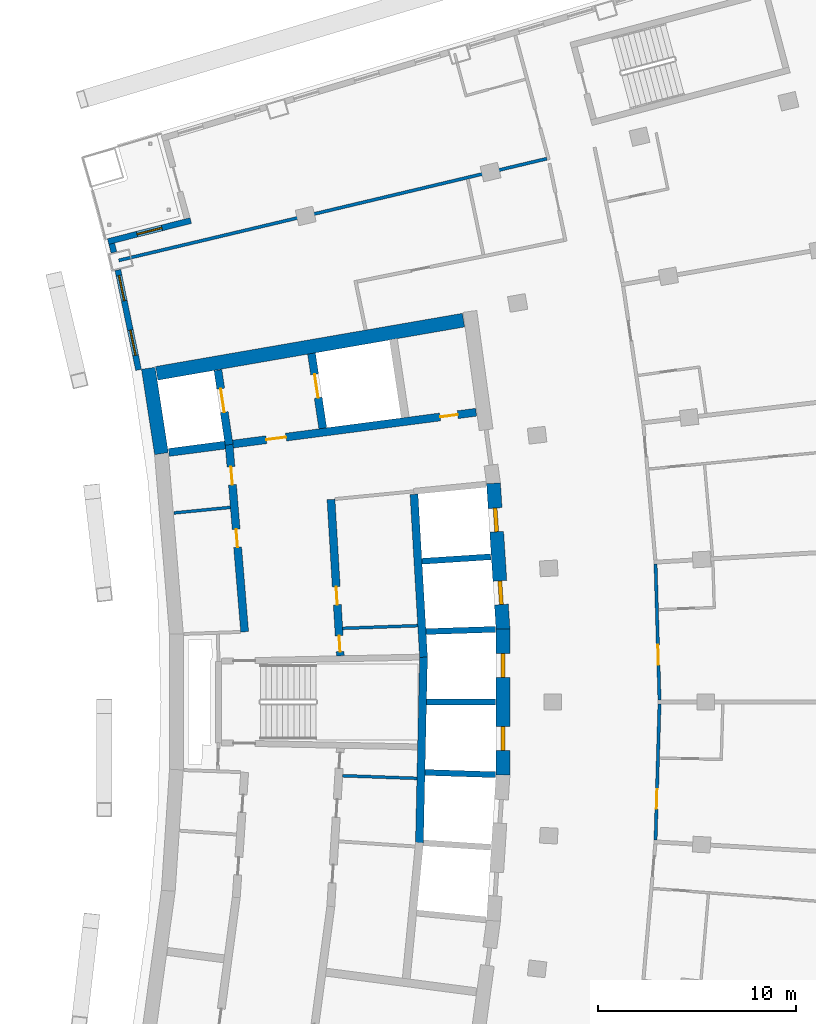
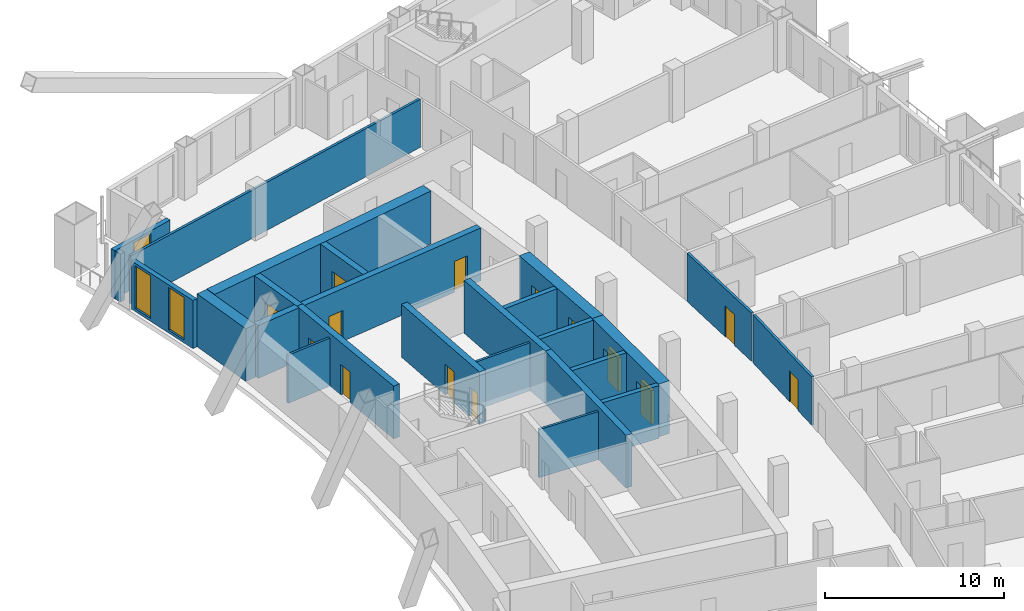
# One storey, part 13 of 19: 25 walls, 14 doors, 3 windows, 17 openings.
"""IFC4 building model written with IfcOpenShell, lengths in metres."""

from ifc_helpers import new_model, si_unit, direction, frame, frame_2d, origin, place, context, subcontext, project, spatial, rectangle, extrude, material, layer, layer_set, type_object, element, fill, save


model = new_model("IFC4")

# Units and contexts
model_context = context("Model", 3, precision=1e-05, world=origin(), true_north=direction((0.0, 1.0)))
body_context = subcontext(model_context, "Body", "Model", "MODEL_VIEW")
ifc_project = project(units=[si_unit("LENGTHUNIT", "METRE"), si_unit("AREAUNIT", "SQUARE_METRE"), si_unit("VOLUMEUNIT", "CUBIC_METRE"), si_unit("PLANEANGLEUNIT", "RADIAN"), si_unit("MASSUNIT", "GRAM", prefix="KILO")], contexts=[model_context])

# Site, building, storey
site_placement = place(None, origin())
site = spatial("IfcSite", under=ifc_project, at=site_placement, CompositionType="ELEMENT")
building_placement = place(site_placement, origin())
building = spatial("IfcBuilding", under=site, at=building_placement, Name="Alderwake Tower", CompositionType="ELEMENT")
storey_placement = place(building_placement, frame((0.0, 0.0, 171.199951171875)))
storey = spatial("IfcBuildingStorey", under=building, at=storey_placement, Name="L42", CompositionType="ELEMENT", Elevation=171.199951171875)

# Walls
ifc_material_1 = material(Name="Gypsum shaft wall system, rated")
ifc_layer_1 = layer(ifc_material_1, 0.14990234375)
ifc_layer_set_1 = layer_set([ifc_layer_1], Name="Core riser partition 150")
wall_type_1 = type_object("IfcWallType", Name="Core riser partition 150", PredefinedType="PARTITIONING", material=ifc_layer_set_1)
wall_1_placement = place(storey_placement, frame((25.1904296875, 57.276611328125, 0.0), z_axis=(0.0, 0.0, 1.0), x_axis=(0.99937350076, -0.035392173974, 0.0)))
element("IfcWall", 1, at=wall_1_placement, inside=storey, type_object=wall_type_1, Name="CW/L42/PR-37_+86", PredefinedType="PARTITIONING", context=body_context, shape_type="SweptSolid", body=[
    extrude(rectangle(XDim=3.752685546875, YDim=0.14990234375, at=frame_2d((1.87646484375, 0.0))), origin(), (0.0, 0.0, 1.0), 3.280029296875),
])
wall_2_placement = place(storey_placement, frame((25.191162109375, 64.723388671875, 0.0), z_axis=(0.0, 0.0, 1.0), x_axis=(0.999373627871, 0.035388584556, 0.0)))
element("IfcWall", 2, at=wall_2_placement, inside=storey, type_object=wall_type_1, Name="CW/L42/PR+37_+86", PredefinedType="PARTITIONING", context=body_context, shape_type="SweptSolid", body=[
    extrude(rectangle(XDim=3.79443359375, YDim=0.14990234375, at=frame_2d((1.897216796875, 0.0))), origin(), (0.0, 0.0, 1.0), 3.280029296875),
])
ifc_material_2 = material(Name="Gypsum shaft wall system, rated")
ifc_layer_2 = layer(ifc_material_2, 0.14990234375)
ifc_layer_set_2 = layer_set([ifc_layer_2], Name="Core room partition 150")
wall_type_2 = type_object("IfcWallType", Name="Core room partition 150", PredefinedType="PARTITIONING", material=ifc_layer_set_2)
wall_3_placement = place(storey_placement, frame((16.662841796875, 70.552001953125, 0.0), z_axis=(0.0, 0.0, 1.0), x_axis=(0.995157883569, 0.098289301407, 0.0)))
element("IfcWall", 3, at=wall_3_placement, inside=storey, type_object=wall_type_2, Name="CW/L42/PR+103_+0", PredefinedType="PARTITIONING", context=body_context, shape_type="SweptSolid", body=[
    extrude(rectangle(XDim=2.866455078125, YDim=0.14990234375, at=frame_2d((1.43310546875, 0.0))), origin(), (0.0, 0.0, 1.0), 3.280029296875),
])
ifc_material_3 = material(Name="Concrete C70/85", Category="concrete")
ifc_layer_3 = layer(ifc_material_3, 0.699951171875)
ifc_layer_set_3 = layer_set([ifc_layer_3], Name="Core wall outer 700 C70-85")
wall_type_3 = type_object("IfcWallType", Name="Core wall outer 700 C70-85", PredefinedType="SHEAR", material=ifc_layer_set_3)
wall_4_placement = place(storey_placement, frame((16.033935546875, 73.547607421875, 0.0), z_axis=(0.0, 0.0, 1.0), x_axis=(-0.151897483467, 0.988396253795, 0.0)))
element("IfcWall", 4, at=wall_4_placement, inside=storey, type_object=wall_type_3, Name="Core wall CW.039", PredefinedType="SHEAR", context=body_context, shape_type="SweptSolid", body=[
    extrude(rectangle(XDim=4.365234375, YDim=0.699951171875, at=frame_2d((2.1826171875, 0.0))), origin(), (0.0, 0.0, 1.0), 3.60009765625),
])

# Wall, openings, doors
wall_5_placement = place(storey_placement, frame((33.2900390625, 57.30322265625, 0.0), z_axis=(0.0, 0.0, 1.0), x_axis=(0.0, 1.0, 0.0)))
wall_5 = element("IfcWall", 5, at=wall_5_placement, inside=storey, type_object=wall_type_3, Name="Core wall CW.013", PredefinedType="SHEAR", context=body_context, shape_type="SweptSolid", body=[
    extrude(rectangle(XDim=7.3935546875, YDim=0.699951171875, at=frame_2d((3.69677734375, 0.0))), origin(), (0.0, 0.0, 1.0), 3.60009765625),
])
opening_1_placement = place(wall_5_placement, frame((1.254150390625, 0.0, 0.0)))
opening_1 = element("IfcOpeningElement", 6, at=opening_1_placement, cuts=wall_5, Name="Opening LD-HP3", PredefinedType="OPENING", context=body_context, shape_type="SweptSolid", body=[
    extrude(rectangle(XDim=1.199951171875, YDim=2.300048828125, at=frame_2d((0.60009765625, 1.14990234375))), frame((0.0, 0.35986328125, 0.0), z_axis=(0.0, -1.0, 0.0), x_axis=(1.0, 0.0, 0.0)), (0.0, 0.0, 1.0), 0.719970703125),
])
opening_2_placement = place(wall_5_placement, frame((4.939208984375, 0.0, 0.0)))
opening_2 = element("IfcOpeningElement", 7, at=opening_2_placement, cuts=wall_5, Name="Opening LD-HP4", PredefinedType="OPENING", context=body_context, shape_type="SweptSolid", body=[
    extrude(rectangle(XDim=1.199951171875, YDim=2.300048828125, at=frame_2d((0.60009765625, 1.14990234375))), frame((0.0, 0.35986328125, 0.0), z_axis=(0.0, -1.0, 0.0), x_axis=(1.0, 0.0, 0.0)), (0.0, 0.0, 1.0), 0.719970703125),
])
ifc_material_4 = material(Name="Stainless steel sliding leaf", Category="steel")
door_type_1 = type_object("IfcDoorType", Name="Lift landing door 1200", OperationType="SLIDING_TO_LEFT", PredefinedType="DOOR", material=ifc_material_4)
door_1_placement = place(opening_1_placement, origin())
door_1 = element("IfcDoor", 8, at=door_1_placement, inside=storey, type_object=door_type_1, Name="Lift landing door HP3", OperationType="SLIDING_TO_LEFT", OverallHeight=2.300048828125, OverallWidth=1.199951171875, PredefinedType="DOOR", context=body_context, shape_type="SweptSolid", body=[
    extrude(rectangle(XDim=1.199951171875, YDim=2.300048828125, at=frame_2d((0.60009765625, 1.14990234375))), frame((0.0, 0.10009765625, 0.0), z_axis=(0.0, -1.0, 0.0), x_axis=(1.0, 0.0, 0.0)), (0.0, 0.0, 1.0), 0.199951171875),
])
fill(opening_1, door_1)
door_2_placement = place(opening_2_placement, origin())
door_2 = element("IfcDoor", 9, at=door_2_placement, inside=storey, type_object=door_type_1, Name="Lift landing door HP4", OperationType="SLIDING_TO_LEFT", OverallHeight=2.300048828125, OverallWidth=1.199951171875, PredefinedType="DOOR", context=body_context, shape_type="SweptSolid", body=[
    extrude(rectangle(XDim=1.199951171875, YDim=2.300048828125, at=frame_2d((0.60009765625, 1.14990234375))), frame((0.0, 0.10009765625, 0.0), z_axis=(0.0, -1.0, 0.0), x_axis=(1.0, 0.0, 0.0)), (0.0, 0.0, 1.0), 0.199951171875),
])
fill(opening_2, door_2)

wall_6_placement = place(storey_placement, frame((33.291015625, 64.6728515625, 0.0), z_axis=(0.0, 0.0, 1.0), x_axis=(-0.065009096017, 0.99788467141, 0.0)))
wall_6 = element("IfcWall", 10, at=wall_6_placement, inside=storey, type_object=wall_type_3, Name="Core wall CW.010", PredefinedType="SHEAR", context=body_context, shape_type="SweptSolid", body=[
    extrude(rectangle(XDim=7.39453125, YDim=0.699951171875, at=frame_2d((3.697265625, 0.0))), origin(), (0.0, 0.0, 1.0), 3.60009765625),
])
opening_3_placement = place(wall_6_placement, frame((1.25390625, 0.0, 0.0)))
opening_3 = element("IfcOpeningElement", 11, at=opening_3_placement, cuts=wall_6, Name="Opening LD-HP5", PredefinedType="OPENING", context=body_context, shape_type="SweptSolid", body=[
    extrude(rectangle(XDim=1.199951171875, YDim=2.300048828125, at=frame_2d((0.60009765625, 1.14990234375))), frame((0.0, 0.35986328125, 0.0), z_axis=(0.0, -1.0, 0.0), x_axis=(1.0, 0.0, 0.0)), (0.0, 0.0, 1.0), 0.719970703125),
])
opening_4_placement = place(wall_6_placement, frame((4.939208984375, 0.0, 0.0)))
opening_4 = element("IfcOpeningElement", 12, at=opening_4_placement, cuts=wall_6, Name="Opening LD-HP6", PredefinedType="OPENING", context=body_context, shape_type="SweptSolid", body=[
    extrude(rectangle(XDim=1.199951171875, YDim=2.300048828125, at=frame_2d((0.60009765625, 1.14990234375))), frame((0.0, 0.35986328125, 0.0), z_axis=(0.0, -1.0, 0.0), x_axis=(1.0, 0.0, 0.0)), (0.0, 0.0, 1.0), 0.719970703125),
])
door_3_placement = place(opening_3_placement, origin())
door_3 = element("IfcDoor", 13, at=door_3_placement, inside=storey, type_object=door_type_1, Name="Lift landing door HP5", OperationType="SLIDING_TO_LEFT", OverallHeight=2.300048828125, OverallWidth=1.199951171875, PredefinedType="DOOR", context=body_context, shape_type="SweptSolid", body=[
    extrude(rectangle(XDim=1.199951171875, YDim=2.300048828125, at=frame_2d((0.60009765625, 1.14990234375))), frame((0.0, 0.10009765625, 0.0), z_axis=(0.0, -1.0, 0.0), x_axis=(1.0, 0.0, 0.0)), (0.0, 0.0, 1.0), 0.199951171875),
])
fill(opening_3, door_3)
door_4_placement = place(opening_4_placement, origin())
door_4 = element("IfcDoor", 14, at=door_4_placement, inside=storey, type_object=door_type_1, Name="Lift landing door HP6", OperationType="SLIDING_TO_LEFT", OverallHeight=2.300048828125, OverallWidth=1.199951171875, PredefinedType="DOOR", context=body_context, shape_type="SweptSolid", body=[
    extrude(rectangle(XDim=1.199951171875, YDim=2.300048828125, at=frame_2d((0.60009765625, 1.14990234375))), frame((0.0, 0.10009765625, 0.0), z_axis=(0.0, -1.0, 0.0), x_axis=(1.0, 0.0, 0.0)), (0.0, 0.0, 1.0), 0.199951171875),
])
fill(opening_4, door_4)

# Walls
wall_7_placement = place(storey_placement, frame((15.79443359375, 77.606689453125, 0.0), z_axis=(0.0, 0.0, 1.0), x_axis=(0.985301369349, 0.170825090542, 0.0)))
element("IfcWall", 15, at=wall_7_placement, inside=storey, type_object=wall_type_3, Name="Core wall CW.055", PredefinedType="SHEAR", context=body_context, shape_type="SweptSolid", body=[
    extrude(rectangle(XDim=15.732421875, YDim=0.699951171875, at=frame_2d((7.8662109375, 0.0))), origin(), (0.0, 0.0, 1.0), 3.60009765625),
])
ifc_material_5 = material(Name="Concrete C70/85", Category="concrete")
ifc_layer_4 = layer(ifc_material_5, 0.300048828125)
ifc_layer_set_4 = layer_set([ifc_layer_4], Name="Core wall shaft 300 C70-85")
wall_type_4 = type_object("IfcWallType", Name="Core wall shaft 300 C70-85", PredefinedType="SHEAR", material=ifc_layer_set_4)
wall_8_placement = place(storey_placement, frame((29.347412109375, 57.443603515625, 0.0), z_axis=(0.0, 0.0, 1.0), x_axis=(0.999470674121, -0.03253262319, 0.0)))
element("IfcWall", 16, at=wall_8_placement, inside=storey, type_object=wall_type_4, Name="Core wall CW.075", PredefinedType="SHEAR", context=body_context, shape_type="SweptSolid", body=[
    extrude(rectangle(XDim=3.564697265625, YDim=0.300048828125, at=frame_2d((1.7822265625, 0.0))), origin(), (0.0, 0.0, 1.0), 3.60009765625),
])
wall_9_placement = place(storey_placement, frame((29.426025390625, 61.0, 0.0), z_axis=(0.0, 0.0, 1.0), x_axis=(1.0, 0.0, 0.0)))
element("IfcWall", 17, at=wall_9_placement, inside=storey, type_object=wall_type_4, Name="Core wall CW.048", PredefinedType="SHEAR", context=body_context, shape_type="SweptSolid", body=[
    extrude(rectangle(XDim=3.484130859375, YDim=0.300048828125, at=frame_2d((1.7421875, 0.0))), origin(), (0.0, 0.0, 1.0), 3.60009765625),
])
wall_10_placement = place(storey_placement, frame((29.401611328125, 64.558349609375, 0.0), z_axis=(0.0, 0.0, 1.0), x_axis=(0.999472422829, 0.032478854739, 0.0)))
element("IfcWall", 18, at=wall_10_placement, inside=storey, type_object=wall_type_4, Name="Core wall CW.058", PredefinedType="SHEAR", context=body_context, shape_type="SweptSolid", body=[
    extrude(rectangle(XDim=3.510498046875, YDim=0.300048828125, at=frame_2d((1.75537109375, 0.0))), origin(), (0.0, 0.0, 1.0), 3.60009765625),
])
wall_11_placement = place(storey_placement, frame((29.193603515625, 68.110595703125, 0.0), z_axis=(0.0, 0.0, 1.0), x_axis=(0.997884751549, 0.065007865878, 0.0)))
element("IfcWall", 19, at=wall_11_placement, inside=storey, type_object=wall_type_4, Name="Core wall CW.061", PredefinedType="SHEAR", context=body_context, shape_type="SweptSolid", body=[
    extrude(rectangle(XDim=3.485107421875, YDim=0.300048828125, at=frame_2d((1.74267578125, 0.0))), origin(), (0.0, 0.0, 1.0), 3.60009765625),
])

# Wall, openings, doors
ifc_material_6 = material(Name="Concrete C70/85", Category="concrete")
ifc_layer_5 = layer(ifc_material_6, 0.39990234375)
ifc_layer_set_5 = layer_set([ifc_layer_5], Name="Core wall spine 400 C70-85")
wall_type_5 = type_object("IfcWallType", Name="Core wall spine 400 C70-85", PredefinedType="SHEAR", material=ifc_layer_set_5)
wall_12_placement = place(storey_placement, frame((19.452392578125, 74.014892578125, 0.0), z_axis=(0.0, 0.0, 1.0), x_axis=(0.082628585297, -0.996580411654, 0.0)))
wall_12 = element("IfcWall", 20, at=wall_12_placement, inside=storey, type_object=wall_type_5, Name="Core wall CW.031", PredefinedType="SHEAR", context=body_context, shape_type="SweptSolid", body=[
    extrude(rectangle(XDim=9.499267578125, YDim=0.39990234375, at=frame_2d((4.74951171875, 0.0))), origin(), (0.0, 0.0, 1.0), 3.60009765625),
])
opening_5_placement = place(wall_12_placement, frame((4.302978515625, 0.0, 0.0)))
opening_5 = element("IfcOpeningElement", 21, at=opening_5_placement, cuts=wall_12, Name="Opening C052", PredefinedType="OPENING", context=body_context, shape_type="SweptSolid", body=[
    extrude(rectangle(XDim=0.89990234375, YDim=2.10009765625, at=frame_2d((0.449951171875, 1.050048828125))), frame((0.0, 0.2099609375, 0.0), z_axis=(0.0, -1.0, 0.0), x_axis=(1.0, 0.0, 0.0)), (0.0, 0.0, 1.0), 0.419921875),
])
opening_6_placement = place(wall_12_placement, frame((1.138427734375, 0.0, 0.0)))
opening_6 = element("IfcOpeningElement", 22, at=opening_6_placement, cuts=wall_12, Name="Opening C056", PredefinedType="OPENING", context=body_context, shape_type="SweptSolid", body=[
    extrude(rectangle(XDim=0.89990234375, YDim=2.10009765625, at=frame_2d((0.449951171875, 1.050048828125))), frame((0.0, 0.2099609375, 0.0), z_axis=(0.0, -1.0, 0.0), x_axis=(1.0, 0.0, 0.0)), (0.0, 0.0, 1.0), 0.419921875),
])
ifc_material_7 = material(Name="Painted steel leaf", Category="steel")
door_type_2 = type_object("IfcDoorType", Name="Core room door 900", OperationType="SINGLE_SWING_LEFT", PredefinedType="DOOR", material=ifc_material_7)
door_5_placement = place(opening_5_placement, origin())
door_5 = element("IfcDoor", 23, at=door_5_placement, inside=storey, type_object=door_type_2, Name="Room door", OperationType="SINGLE_SWING_LEFT", OverallHeight=2.10009765625, OverallWidth=0.89990234375, PredefinedType="DOOR", context=body_context, shape_type="SweptSolid", body=[
    extrude(rectangle(XDim=0.89990234375, YDim=2.10009765625, at=frame_2d((0.449951171875, 1.050048828125))), frame((0.0, 0.02490234375, 0.0), z_axis=(0.0, -1.0, 0.0), x_axis=(1.0, 0.0, 0.0)), (0.0, 0.0, 1.0), 0.050048828125),
])
fill(opening_5, door_5)
door_6_placement = place(opening_6_placement, origin())
door_6 = element("IfcDoor", 24, at=door_6_placement, inside=storey, type_object=door_type_2, Name="Room door", OperationType="SINGLE_SWING_RIGHT", OverallHeight=2.10009765625, OverallWidth=0.89990234375, PredefinedType="DOOR", context=body_context, shape_type="SweptSolid", body=[
    extrude(rectangle(XDim=0.89990234375, YDim=2.10009765625, at=frame_2d((0.449951171875, 1.050048828125))), frame((0.0, 0.02490234375, 0.0), z_axis=(0.0, -1.0, 0.0), x_axis=(1.0, 0.0, 0.0)), (0.0, 0.0, 1.0), 0.050048828125),
])
fill(opening_6, door_6)

# Wall, opening, door
wall_13_placement = place(storey_placement, frame((19.4541015625, 74.000732421875, 0.0), z_axis=(0.0, 0.0, 1.0), x_axis=(-0.148540738889, 0.988906289236, 0.0)))
wall_13 = element("IfcWall", 25, at=wall_13_placement, inside=storey, type_object=wall_type_5, Name="Core wall CW.030", PredefinedType="SHEAR", context=body_context, shape_type="SweptSolid", body=[
    extrude(rectangle(XDim=3.814697265625, YDim=0.39990234375, at=frame_2d((1.9072265625, 0.0))), origin(), (0.0, 0.0, 1.0), 3.60009765625),
])
opening_7_placement = place(wall_13_placement, frame((1.660888671875, 0.0, 0.0)))
opening_7 = element("IfcOpeningElement", 26, at=opening_7_placement, cuts=wall_13, Name="Opening LD-FF1", PredefinedType="OPENING", context=body_context, shape_type="SweptSolid", body=[
    extrude(rectangle(XDim=1.199951171875, YDim=2.300048828125, at=frame_2d((0.60009765625, 1.14990234375))), frame((0.0, 0.2099609375, 0.0), z_axis=(0.0, -1.0, 0.0), x_axis=(1.0, 0.0, 0.0)), (0.0, 0.0, 1.0), 0.419921875),
])
door_7_placement = place(opening_7_placement, origin())
door_7 = element("IfcDoor", 27, at=door_7_placement, inside=storey, type_object=door_type_1, Name="Lift landing door FF1", OperationType="SLIDING_TO_LEFT", OverallHeight=2.300048828125, OverallWidth=1.199951171875, PredefinedType="DOOR", context=body_context, shape_type="SweptSolid", body=[
    extrude(rectangle(XDim=1.199951171875, YDim=2.300048828125, at=frame_2d((0.60009765625, 1.14990234375))), frame((0.0, 0.02490234375, 0.0), z_axis=(0.0, -1.0, 0.0), x_axis=(1.0, 0.0, 0.0)), (0.0, 0.0, 1.0), 0.050048828125),
])
fill(opening_7, door_7)

# Wall, openings, doors
wall_14_placement = place(storey_placement, frame((25.073974609375, 63.335693359375, 0.0), z_axis=(0.0, 0.0, 1.0), x_axis=(-0.059848641072, 0.998207463487, 0.0)))
wall_14 = element("IfcWall", 28, at=wall_14_placement, inside=storey, type_object=wall_type_5, Name="Core wall CW.045", PredefinedType="SHEAR", context=body_context, shape_type="SweptSolid", body=[
    extrude(rectangle(XDim=7.913818359375, YDim=0.39990234375, at=frame_2d((3.95703125, 0.0))), origin(), (0.0, 0.0, 1.0), 3.60009765625),
])
opening_8_placement = place(wall_14_placement, frame((0.216064453125, 0.0, 0.0)))
opening_8 = element("IfcOpeningElement", 29, at=opening_8_placement, cuts=wall_14, Name="Opening C005", PredefinedType="OPENING", context=body_context, shape_type="SweptSolid", body=[
    extrude(rectangle(XDim=0.800048828125, YDim=2.0, at=frame_2d((0.39990234375, 1.0))), frame((0.0, 0.2099609375, 0.0), z_axis=(0.0, -1.0, 0.0), x_axis=(1.0, 0.0, 0.0)), (0.0, 0.0, 1.0), 0.419921875),
])
opening_9_placement = place(wall_14_placement, frame((2.590087890625, 0.0, 0.0)))
opening_9 = element("IfcOpeningElement", 30, at=opening_9_placement, cuts=wall_14, Name="Opening C057", PredefinedType="OPENING", context=body_context, shape_type="SweptSolid", body=[
    extrude(rectangle(XDim=0.89990234375, YDim=2.10009765625, at=frame_2d((0.449951171875, 1.050048828125))), frame((0.0, 0.2099609375, 0.0), z_axis=(0.0, -1.0, 0.0), x_axis=(1.0, 0.0, 0.0)), (0.0, 0.0, 1.0), 0.419921875),
])
door_8_placement = place(opening_9_placement, origin())
door_8 = element("IfcDoor", 31, at=door_8_placement, inside=storey, type_object=door_type_2, Name="Room door", OperationType="SINGLE_SWING_LEFT", OverallHeight=2.10009765625, OverallWidth=0.89990234375, PredefinedType="DOOR", context=body_context, shape_type="SweptSolid", body=[
    extrude(rectangle(XDim=0.89990234375, YDim=2.10009765625, at=frame_2d((0.449951171875, 1.050048828125))), frame((0.0, 0.02490234375, 0.0), z_axis=(0.0, -1.0, 0.0), x_axis=(1.0, 0.0, 0.0)), (0.0, 0.0, 1.0), 0.050048828125),
])
fill(opening_9, door_8)
ifc_material_8 = material(Name="Painted steel leaf, rated", Category="steel")
door_type_3 = type_object("IfcDoorType", Name="Riser access door 800", OperationType="SINGLE_SWING_LEFT", PredefinedType="DOOR", material=ifc_material_8)
door_9_placement = place(opening_8_placement, origin())
door_9 = element("IfcDoor", 32, at=door_9_placement, inside=storey, type_object=door_type_3, Name="Riser access door", OperationType="SINGLE_SWING_LEFT", OverallHeight=2.0, OverallWidth=0.800048828125, PredefinedType="DOOR", context=body_context, shape_type="SweptSolid", body=[
    extrude(rectangle(XDim=0.800048828125, YDim=2.0, at=frame_2d((0.39990234375, 1.0))), frame((0.0, 0.02490234375, 0.0), z_axis=(0.0, -1.0, 0.0), x_axis=(1.0, 0.0, 0.0)), (0.0, 0.0, 1.0), 0.050048828125),
])
fill(opening_8, door_9)

# Wall, opening, door
wall_15_placement = place(storey_placement, frame((24.186279296875, 74.82861328125, 0.0), z_axis=(0.0, 0.0, 1.0), x_axis=(-0.149604879253, 0.988745862243, 0.0)))
wall_15 = element("IfcWall", 33, at=wall_15_placement, inside=storey, type_object=wall_type_5, Name="Core wall CW.044", PredefinedType="SHEAR", context=body_context, shape_type="SweptSolid", body=[
    extrude(rectangle(XDim=3.823486328125, YDim=0.39990234375, at=frame_2d((1.91162109375, 0.0))), origin(), (0.0, 0.0, 1.0), 3.60009765625),
])
opening_10_placement = place(wall_15_placement, frame((1.561767578125, 0.0, 0.0)))
opening_10 = element("IfcOpeningElement", 34, at=opening_10_placement, cuts=wall_15, Name="Opening LD-FF2", PredefinedType="OPENING", context=body_context, shape_type="SweptSolid", body=[
    extrude(rectangle(XDim=1.199951171875, YDim=2.300048828125, at=frame_2d((0.60009765625, 1.14990234375))), frame((0.0, 0.2099609375, 0.0), z_axis=(0.0, -1.0, 0.0), x_axis=(1.0, 0.0, 0.0)), (0.0, 0.0, 1.0), 0.419921875),
])
door_10_placement = place(opening_10_placement, origin())
door_10 = element("IfcDoor", 35, at=door_10_placement, inside=storey, type_object=door_type_1, Name="Lift landing door FF2", OperationType="SLIDING_TO_LEFT", OverallHeight=2.300048828125, OverallWidth=1.199951171875, PredefinedType="DOOR", context=body_context, shape_type="SweptSolid", body=[
    extrude(rectangle(XDim=1.199951171875, YDim=2.300048828125, at=frame_2d((0.60009765625, 1.14990234375))), frame((0.0, 0.02490234375, 0.0), z_axis=(0.0, -1.0, 0.0), x_axis=(1.0, 0.0, 0.0)), (0.0, 0.0, 1.0), 0.050048828125),
])
fill(opening_10, door_10)

# Walls
wall_16_placement = place(storey_placement, frame((29.06884765625, 53.8896484375, 0.0), z_axis=(0.0, 0.0, 1.0), x_axis=(0.022115722908, 0.99975541749, 0.0)))
element("IfcWall", 36, at=wall_16_placement, inside=storey, type_object=wall_type_5, Name="Core wall CW.008", PredefinedType="SHEAR", context=body_context, shape_type="SweptSolid", body=[
    extrude(rectangle(XDim=9.394287109375, YDim=0.39990234375, at=frame_2d((4.697265625, 0.0))), origin(), (0.0, 0.0, 1.0), 3.60009765625),
])
wall_17_placement = place(storey_placement, frame((29.27685546875, 63.2646484375, 0.0), z_axis=(0.0, 0.0, 1.0), x_axis=(-0.0584546922, 0.998290062537, 0.0)))
element("IfcWall", 37, at=wall_17_placement, inside=storey, type_object=wall_type_5, Name="Core wall CW.002", PredefinedType="SHEAR", context=body_context, shape_type="SweptSolid", body=[
    extrude(rectangle(XDim=8.24462890625, YDim=0.39990234375, at=frame_2d((4.122314453125, 0.0))), origin(), (0.0, 0.0, 1.0), 3.60009765625),
])
wall_18_placement = place(storey_placement, frame((16.4091796875, 73.609619140625, 0.0), z_axis=(0.0, 0.0, 1.0), x_axis=(0.991557657486, 0.129666541102, 0.0)))
element("IfcWall", 38, at=wall_18_placement, inside=storey, type_object=wall_type_5, Name="Core wall CW.051", PredefinedType="SHEAR", context=body_context, shape_type="SweptSolid", body=[
    extrude(rectangle(XDim=2.869384765625, YDim=0.39990234375, at=frame_2d((1.4345703125, 0.0))), origin(), (0.0, 0.0, 1.0), 3.60009765625),
])

# Wall, openings, doors
wall_19_placement = place(storey_placement, frame((31.933837890625, 75.64013671875, 0.0), z_axis=(0.0, 0.0, 1.0), x_axis=(-0.991554628634, -0.129689700573, 0.0)))
wall_19 = element("IfcWall", 39, at=wall_19_placement, inside=storey, type_object=wall_type_5, Name="Core wall CW.052", PredefinedType="SHEAR", context=body_context, shape_type="SweptSolid", body=[
    extrude(rectangle(XDim=12.38671875, YDim=0.39990234375, at=frame_2d((6.193359375, 0.0))), origin(), (0.0, 0.0, 1.0), 3.60009765625),
])
opening_11_placement = place(wall_19_placement, frame((9.687255859375, 0.0, 0.0)))
opening_11 = element("IfcOpeningElement", 40, at=opening_11_placement, cuts=wall_19, Name="Opening C002", PredefinedType="OPENING", context=body_context, shape_type="SweptSolid", body=[
    extrude(rectangle(XDim=1.0, YDim=2.10009765625, at=frame_2d((0.5, 1.050048828125))), frame((0.0, 0.2099609375, 0.0), z_axis=(0.0, -1.0, 0.0), x_axis=(1.0, 0.0, 0.0)), (0.0, 0.0, 1.0), 0.419921875),
])
opening_12_placement = place(wall_19_placement, frame((0.937255859375, 0.0, 0.0)))
opening_12 = element("IfcOpeningElement", 41, at=opening_12_placement, cuts=wall_19, Name="Opening C020", PredefinedType="OPENING", context=body_context, shape_type="SweptSolid", body=[
    extrude(rectangle(XDim=0.89990234375, YDim=2.10009765625, at=frame_2d((0.449951171875, 1.050048828125))), frame((0.0, 0.2099609375, 0.0), z_axis=(0.0, -1.0, 0.0), x_axis=(1.0, 0.0, 0.0)), (0.0, 0.0, 1.0), 0.419921875),
])
door_11_placement = place(opening_12_placement, origin())
door_11 = element("IfcDoor", 42, at=door_11_placement, inside=storey, type_object=door_type_2, Name="Room door", OperationType="SINGLE_SWING_LEFT", OverallHeight=2.10009765625, OverallWidth=0.89990234375, PredefinedType="DOOR", context=body_context, shape_type="SweptSolid", body=[
    extrude(rectangle(XDim=0.89990234375, YDim=2.10009765625, at=frame_2d((0.449951171875, 1.050048828125))), frame((0.0, 0.02490234375, 0.0), z_axis=(0.0, -1.0, 0.0), x_axis=(1.0, 0.0, 0.0)), (0.0, 0.0, 1.0), 0.050048828125),
])
fill(opening_12, door_11)
ifc_material_9 = material(Name="Steel-framed fire door leaf", Category="steel")
door_type_4 = type_object("IfcDoorType", Name="Firefighting lobby door 1000 fire-rated", OperationType="SINGLE_SWING_LEFT", PredefinedType="DOOR", material=ifc_material_9)
door_12_placement = place(opening_11_placement, origin())
door_12 = element("IfcDoor", 43, at=door_12_placement, inside=storey, type_object=door_type_4, Name="Firefighting lobby door", OperationType="SINGLE_SWING_RIGHT", OverallHeight=2.10009765625, OverallWidth=1.0, PredefinedType="DOOR", context=body_context, shape_type="SweptSolid", body=[
    extrude(rectangle(XDim=1.0, YDim=2.10009765625, at=frame_2d((0.5, 1.050048828125))), frame((0.0, 0.02490234375, 0.0), z_axis=(0.0, -1.0, 0.0), x_axis=(1.0, 0.0, 0.0)), (0.0, 0.0, 1.0), 0.050048828125),
])
fill(opening_11, door_12)

# Wall
ifc_material_10 = material(Name="Gypsum board on metal studs, rated")
ifc_layer_6 = layer(ifc_material_10, 0.159912109375)
ifc_layer_set_6 = layer_set([ifc_layer_6], Name="Corridor wall 160")
wall_type_6 = type_object("IfcWallType", Name="Corridor wall 160", PredefinedType="PARTITIONING", material=ifc_layer_set_6)
wall_20_placement = place(storey_placement, frame((35.502197265625, 88.451416015625, 0.0), z_axis=(0.0, 0.0, 1.0), x_axis=(-0.972894913244, -0.231247676278, 0.0)))
element("IfcWall", 44, at=wall_20_placement, inside=storey, type_object=wall_type_6, Name="WL/L42/W21", PredefinedType="PARTITIONING", context=body_context, shape_type="SweptSolid", body=[
    extrude(rectangle(XDim=22.220458984375, YDim=0.159912109375, at=frame_2d((11.1103515625, 0.0))), origin(), (0.0, 0.0, 1.0), 3.280029296875),
])

# Wall, opening, door
wall_21_placement = place(storey_placement, frame((41.196044921875, 60.89892578125, 0.0), z_axis=(0.0, 0.0, 1.0), x_axis=(-0.028865238788, -0.99958331218, 0.0)))
wall_21 = element("IfcWall", 45, at=wall_21_placement, inside=storey, type_object=wall_type_6, Name="WL/L42/W30", PredefinedType="PARTITIONING", context=body_context, shape_type="SweptSolid", body=[
    extrude(rectangle(XDim=6.867919921875, YDim=0.159912109375, at=frame_2d((3.43408203125, 0.0))), origin(), (0.0, 0.0, 1.0), 3.280029296875),
])
opening_13_placement = place(wall_21_placement, frame((4.297119140625, 0.0, 0.0)))
opening_13 = element("IfcOpeningElement", 46, at=opening_13_placement, cuts=wall_21, Name="Opening R12-U05.1", PredefinedType="OPENING", context=body_context, shape_type="SweptSolid", body=[
    extrude(rectangle(XDim=1.0, YDim=2.10009765625, at=frame_2d((0.5, 1.050048828125))), frame((0.0, 0.08984375, 0.0), z_axis=(0.0, -1.0, 0.0), x_axis=(1.0, 0.0, 0.0)), (0.0, 0.0, 1.0), 0.179931640625),
])
ifc_material_11 = material(Name="Solid timber leaf in steel frame", Category="steel")
door_type_5 = type_object("IfcDoorType", Name="Flat entrance door 1000 fire-rated", OperationType="SINGLE_SWING_LEFT", PredefinedType="DOOR", material=ifc_material_11)
door_13_placement = place(opening_13_placement, origin())
door_13 = element("IfcDoor", 47, at=door_13_placement, inside=storey, type_object=door_type_5, Name="DR/L42/U05.1", OperationType="SINGLE_SWING_LEFT", OverallHeight=2.10009765625, OverallWidth=1.0, PredefinedType="DOOR", context=body_context, shape_type="SweptSolid", body=[
    extrude(rectangle(XDim=1.0, YDim=2.10009765625, at=frame_2d((0.5, 1.050048828125))), frame((0.0, 0.02490234375, 0.0), z_axis=(0.0, -1.0, 0.0), x_axis=(1.0, 0.0, 0.0)), (0.0, 0.0, 1.0), 0.050048828125),
])
fill(opening_13, door_13)

wall_22_placement = place(storey_placement, frame((40.997802734375, 67.967041015625, 0.0), z_axis=(0.0, 0.0, 1.0), x_axis=(0.028852935833, -0.99958366738, 0.0)))
wall_22 = element("IfcWall", 48, at=wall_22_placement, inside=storey, type_object=wall_type_6, Name="WL/L42/W32", PredefinedType="PARTITIONING", context=body_context, shape_type="SweptSolid", body=[
    extrude(rectangle(XDim=6.870849609375, YDim=0.159912109375, at=frame_2d((3.435546875, 0.0))), origin(), (0.0, 0.0, 1.0), 3.280029296875),
])
opening_14_placement = place(wall_22_placement, frame((4.087646484375, 0.0, 0.0)))
opening_14 = element("IfcOpeningElement", 49, at=opening_14_placement, cuts=wall_22, Name="Opening R12-U06.1", PredefinedType="OPENING", context=body_context, shape_type="SweptSolid", body=[
    extrude(rectangle(XDim=1.0, YDim=2.10009765625, at=frame_2d((0.5, 1.050048828125))), frame((0.0, 0.08984375, 0.0), z_axis=(0.0, -1.0, 0.0), x_axis=(1.0, 0.0, 0.0)), (0.0, 0.0, 1.0), 0.179931640625),
])
door_14_placement = place(opening_14_placement, origin())
door_14 = element("IfcDoor", 50, at=door_14_placement, inside=storey, type_object=door_type_5, Name="DR/L42/U06.1", OperationType="SINGLE_SWING_LEFT", OverallHeight=2.10009765625, OverallWidth=1.0, PredefinedType="DOOR", context=body_context, shape_type="SweptSolid", body=[
    extrude(rectangle(XDim=1.0, YDim=2.10009765625, at=frame_2d((0.5, 1.050048828125))), frame((0.0, 0.02490234375, 0.0), z_axis=(0.0, -1.0, 0.0), x_axis=(1.0, 0.0, 0.0)), (0.0, 0.0, 1.0), 0.050048828125),
])
fill(opening_14, door_14)

# Wall
ifc_material_12 = material(Name="Precast concrete C50/60 spandrel panel", Category="concrete")
ifc_layer_7 = layer(ifc_material_12, 0.300048828125)
ifc_layer_set_7 = layer_set([ifc_layer_7], Name="External wall EW1 Precast concrete C50/60 spandrel")
wall_type_7 = type_object("IfcWallType", Name="External wall EW1 Precast concrete C50/60 spandrel", PredefinedType="SOLIDWALL", material=ifc_layer_set_7)
wall_23_placement = place(storey_placement, frame((13.523193359375, 84.1572265625, 0.0), z_axis=(0.0, 0.0, 1.0), x_axis=(0.238729806706, -0.97108603089, 0.0)))
element("IfcWall", 51, at=wall_23_placement, inside=storey, type_object=wall_type_7, Name="External wall 30", PredefinedType="SOLIDWALL", context=body_context, shape_type="SweptSolid", body=[
    extrude(rectangle(XDim=0.453125, YDim=0.300048828125, at=frame_2d((0.2265625, 0.0))), origin(), (0.0, 0.0, 1.0), 3.280029296875),
])

# Wall, openings, windows
wall_24_placement = place(storey_placement, frame((13.83203125, 82.8291015625, 0.0), z_axis=(0.0, 0.0, 1.0), x_axis=(0.202754243564, -0.979229654737, 0.0)))
wall_24 = element("IfcWall", 52, at=wall_24_placement, inside=storey, type_object=wall_type_7, Name="External wall 31", PredefinedType="SOLIDWALL", context=body_context, shape_type="SweptSolid", body=[
    extrude(rectangle(XDim=5.15966796875, YDim=0.300048828125, at=frame_2d((2.579833984375, 0.0))), origin(), (0.0, 0.0, 1.0), 3.280029296875),
])
opening_15_placement = place(wall_24_placement, frame((0.29052734375, 0.0, 0.199951171875)))
opening_15 = element("IfcOpeningElement", 53, at=opening_15_placement, cuts=wall_24, Name="Opening W1", PredefinedType="OPENING", context=body_context, shape_type="SweptSolid", body=[
    extrude(rectangle(XDim=1.300048828125, YDim=2.89990234375, at=frame_2d((0.64990234375, 1.449951171875))), frame((0.0, 0.159912109375, 0.0), z_axis=(0.0, -1.0, 0.0), x_axis=(1.0, 0.0, 0.0)), (0.0, 0.0, 1.0), 0.320068359375),
])
opening_16_placement = place(wall_24_placement, frame((3.103271484375, 0.0, 0.199951171875)))
opening_16 = element("IfcOpeningElement", 54, at=opening_16_placement, cuts=wall_24, Name="Opening W1", PredefinedType="OPENING", context=body_context, shape_type="SweptSolid", body=[
    extrude(rectangle(XDim=1.300048828125, YDim=2.89990234375, at=frame_2d((0.64990234375, 1.449951171875))), frame((0.0, 0.159912109375, 0.0), z_axis=(0.0, -1.0, 0.0), x_axis=(1.0, 0.0, 0.0)), (0.0, 0.0, 1.0), 0.320068359375),
])
ifc_material_13 = material(Name="Bronze tinted glass in aluminium frame", Category="aluminium")
window_type = type_object("IfcWindowType", Name="Window W1 tall fixed and vent", PartitioningType="DOUBLE_PANEL_VERTICAL", PredefinedType="WINDOW", material=ifc_material_13)
window_1_placement = place(opening_15_placement, origin())
window_1 = element("IfcWindow", 55, at=window_1_placement, inside=storey, type_object=window_type, Name="Window W1 tall fixed and vent", OverallHeight=2.89990234375, OverallWidth=1.300048828125, PartitioningType="DOUBLE_PANEL_VERTICAL", PredefinedType="WINDOW", context=body_context, shape_type="SweptSolid", body=[
    extrude(rectangle(XDim=1.300048828125, YDim=2.89990234375, at=frame_2d((0.64990234375, 1.449951171875))), frame((0.0, 0.030029296875, 0.0), z_axis=(0.0, -1.0, 0.0), x_axis=(1.0, 0.0, 0.0)), (0.0, 0.0, 1.0), 0.06005859375),
])
fill(opening_15, window_1)
window_2_placement = place(opening_16_placement, origin())
window_2 = element("IfcWindow", 56, at=window_2_placement, inside=storey, type_object=window_type, Name="Window W1 tall fixed and vent", OverallHeight=2.89990234375, OverallWidth=1.300048828125, PartitioningType="DOUBLE_PANEL_VERTICAL", PredefinedType="WINDOW", context=body_context, shape_type="SweptSolid", body=[
    extrude(rectangle(XDim=1.300048828125, YDim=2.89990234375, at=frame_2d((0.64990234375, 1.449951171875))), frame((0.0, 0.030029296875, 0.0), z_axis=(0.0, -1.0, 0.0), x_axis=(1.0, 0.0, 0.0)), (0.0, 0.0, 1.0), 0.06005859375),
])
fill(opening_16, window_2)

# Wall, opening, window
ifc_material_14 = material(Name="Bronze metal cladding on lightweight framing")
ifc_layer_8 = layer(ifc_material_14, 0.300048828125)
ifc_layer_set_8 = layer_set([ifc_layer_8], Name="External wall EW2 bronze metal cladding")
wall_type_8 = type_object("IfcWallType", Name="External wall EW2 bronze metal cladding", PredefinedType="SOLIDWALL", material=ifc_layer_set_8)
wall_25_placement = place(storey_placement, frame((17.51611328125, 85.32275390625, 0.0), z_axis=(0.0, 0.0, 1.0), x_axis=(-0.969417740682, -0.245416470617, 0.0)))
wall_25 = element("IfcWall", 57, at=wall_25_placement, inside=storey, type_object=wall_type_8, Name="External wall 29", PredefinedType="SOLIDWALL", context=body_context, shape_type="SweptSolid", body=[
    extrude(rectangle(XDim=4.305419921875, YDim=0.300048828125, at=frame_2d((2.15283203125, 0.0))), origin(), (0.0, 0.0, 1.0), 3.280029296875),
])
opening_17_placement = place(wall_25_placement, frame((1.502685546875, 0.0, 0.199951171875)))
opening_17 = element("IfcOpeningElement", 58, at=opening_17_placement, cuts=wall_25, Name="Opening W1", PredefinedType="OPENING", context=body_context, shape_type="SweptSolid", body=[
    extrude(rectangle(XDim=1.300048828125, YDim=2.89990234375, at=frame_2d((0.64990234375, 1.449951171875))), frame((0.0, 0.159912109375, 0.0), z_axis=(0.0, -1.0, 0.0), x_axis=(1.0, 0.0, 0.0)), (0.0, 0.0, 1.0), 0.320068359375),
])
window_3_placement = place(opening_17_placement, origin())
window_3 = element("IfcWindow", 59, at=window_3_placement, inside=storey, type_object=window_type, Name="Window W1 tall fixed and vent", OverallHeight=2.89990234375, OverallWidth=1.300048828125, PartitioningType="DOUBLE_PANEL_VERTICAL", PredefinedType="WINDOW", context=body_context, shape_type="SweptSolid", body=[
    extrude(rectangle(XDim=1.300048828125, YDim=2.89990234375, at=frame_2d((0.64990234375, 1.449951171875))), frame((0.0, 0.030029296875, 0.0), z_axis=(0.0, -1.0, 0.0), x_axis=(1.0, 0.0, 0.0)), (0.0, 0.0, 1.0), 0.06005859375),
])
fill(opening_17, window_3)

save(model, "model.ifc")
